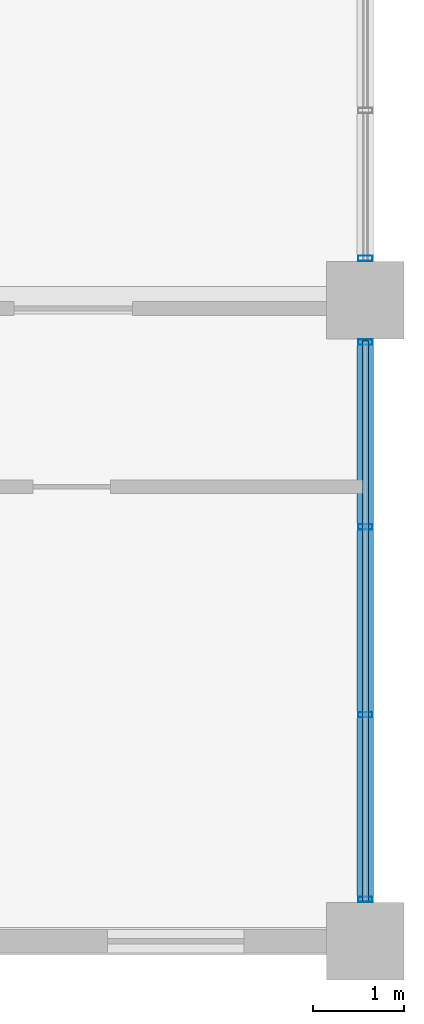
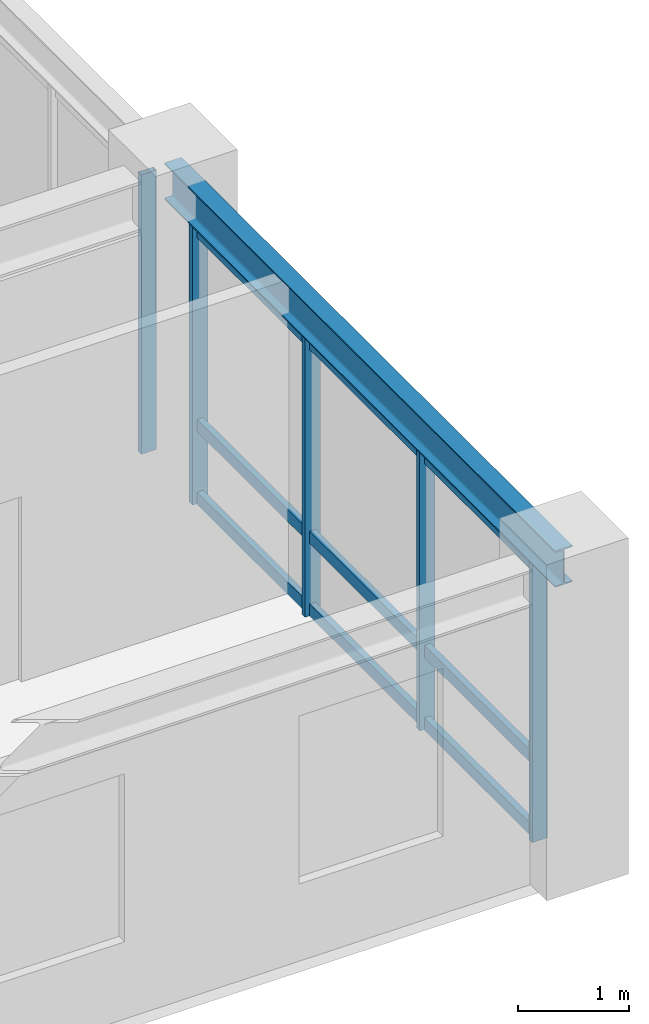
# One storey, part 2 of 10: 8 members, 1 beam, 2 elements without a shape of their own.
"""IFC4 building model written with IfcOpenShell, lengths in metres."""

import ifcopenshell
import ifcopenshell.guid

model = None  # the IFC model being written
_history = None  # IfcOwnerHistory: only IFC2X3 demands one
_inside = {}  # id of a spatial element -> (the spatial element, [elements in it])
_under = {}  # id of a project, library or spatial element -> (it, [spatial elements below it])
_declared = {}  # id of a project -> (the project, [libraries it declares])
_typed = {}  # id of a type object -> (the type object, [elements of that type])
_made_of = {}  # id of a material, layer set ... -> (it, [elements and type objects made of it])


def new_model(schema):
    """Start an empty IFC model of exactly this schema.

    Asked for "IFC4X3", IfcOpenShell would pick the latest addendum, in which some entities
    have other attributes; the version numbers below select the first issue.
    IFC2X3 requires an IfcOwnerHistory on every rooted entity: one is made here for all.
    """
    global model, _history
    if schema == "IFC4X3":
        model = ifcopenshell.file(schema_version=(4, 3, 0, 0))
    else:
        model = ifcopenshell.file(schema=schema)
    _inside.clear()
    _under.clear()
    _declared.clear()
    _typed.clear()
    _made_of.clear()
    _history = None
    if model.schema == "IFC2X3":
        org = make("IfcOrganization", Name="unknown")
        user = make(
            "IfcPersonAndOrganization",
            ThePerson=make("IfcPerson", FamilyName="unknown"),
            TheOrganization=org,
        )
        app = make(
            "IfcApplication",
            ApplicationDeveloper=org,
            Version="unknown",
            ApplicationFullName="unknown",
            ApplicationIdentifier="unknown",
        )
        _history = make(
            "IfcOwnerHistory",
            OwningUser=user,
            OwningApplication=app,
            ChangeAction="ADDED",
            CreationDate=0,
        )
    return model


def make(cls, **values):
    """One entity of the class cls with the attributes given. An attribute that is None is left unset."""
    return model.create_entity(
        cls, **{name: value for name, value in values.items() if value is not None}
    )


def rooted(cls, **values):
    """An entity with a GlobalId (a new one), such as an element, a storey or a relation."""
    return make(cls, GlobalId=ifcopenshell.guid.new(), OwnerHistory=_history, **values)


def si_unit(unit_type, name, prefix=None):
    """IfcSIUnit, for example si_unit("LENGTHUNIT", "METRE", prefix="MILLI")."""
    return make("IfcSIUnit", UnitType=unit_type, Prefix=prefix, Name=name)


def assignment(units):
    """IfcUnitAssignment: the units of a project."""
    return None if units is None else make("IfcUnitAssignment", Units=units)


def point(xyz):
    """IfcCartesianPoint."""
    return None if xyz is None else make("IfcCartesianPoint", Coordinates=xyz)


def direction(xyz):
    """IfcDirection."""
    return None if xyz is None else make("IfcDirection", DirectionRatios=xyz)


def frame(location, z_axis=None, x_axis=None):
    """IfcAxis2Placement3D, a coordinate frame: its origin and axes. An axis left out is left unset."""
    return make(
        "IfcAxis2Placement3D",
        Location=point(location),
        Axis=direction(z_axis),
        RefDirection=direction(x_axis),
    )


def frame_2d(location, x_axis=None):
    """IfcAxis2Placement2D, a coordinate frame in the plane: its origin and x axis."""
    return make(
        "IfcAxis2Placement2D", Location=point(location), RefDirection=direction(x_axis)
    )


def origin():
    """The frame at (0, 0, 0) with its axes left unset."""
    return frame((0.0, 0.0, 0.0))


def origin_2d():
    """The frame at (0, 0) in the plane with its x axis left unset."""
    return frame_2d((0.0, 0.0))


def place(relative_to, where):
    """IfcLocalPlacement: puts the frame where relative to a parent placement (None: the world)."""
    return make(
        "IfcLocalPlacement", PlacementRelTo=relative_to, RelativePlacement=where
    )


def context(
    kind, dimensions, precision=None, world=None, true_north=None, identifier=None
):
    """IfcGeometricRepresentationContext, for example the 3D "Model" context."""
    return make(
        "IfcGeometricRepresentationContext",
        ContextIdentifier=identifier,
        ContextType=kind,
        CoordinateSpaceDimension=dimensions,
        Precision=precision,
        WorldCoordinateSystem=world,
        TrueNorth=true_north,
    )


def subcontext(parent, identifier, kind, view, scale=None):
    """IfcGeometricRepresentationSubContext, for example "Body" below "Model"."""
    return make(
        "IfcGeometricRepresentationSubContext",
        ContextIdentifier=identifier,
        ContextType=kind,
        ParentContext=parent,
        TargetScale=scale,
        TargetView=view,
    )


def project(units=None, contexts=None):
    """IfcProject with its units and contexts."""
    return rooted(
        "IfcProject",
        Name="project",
        RepresentationContexts=contexts,
        UnitsInContext=assignment(units),
    )


def spatial(cls, under=None, at=None, **own):
    """A site, building, storey or space (cls), placed at a placement, below another one or the project."""
    s = rooted(cls, ObjectPlacement=at, **own)
    if under is not None:
        _under.setdefault(under.id(), (under, []))[1].append(s)
    return s


def profile(cls, at=None, kind="AREA", **sizes):
    """A parametric profile (cls). Its sizes go by their IFC names, for example OverallWidth=200.0."""
    return make(cls, ProfileType=kind, Position=at, **sizes)


def hollow_rectangle(**sizes):
    """IfcRectangleHollowProfileDef."""
    return profile("IfcRectangleHollowProfileDef", **sizes)


def i_section(**sizes):
    """IfcIShapeProfileDef."""
    return profile("IfcIShapeProfileDef", **sizes)


def extrude(swept, where, along, depth):
    """IfcExtrudedAreaSolid: the profile swept, set in the frame where, extruded along a direction by depth."""
    return make(
        "IfcExtrudedAreaSolid",
        SweptArea=swept,
        Position=where,
        ExtrudedDirection=direction(along),
        Depth=depth,
    )


def shape(context_of_items, identifier, shape_type, items):
    """IfcShapeRepresentation: the items that make up one representation, for example the "Body"."""
    return make(
        "IfcShapeRepresentation",
        ContextOfItems=context_of_items,
        RepresentationIdentifier=identifier,
        RepresentationType=shape_type,
        Items=items,
    )


def source(mapping_origin, context_of_items, identifier, shape_type, items):
    """IfcRepresentationMap: a shape defined once, which mapped items show again and again."""
    return make(
        "IfcRepresentationMap",
        MappingOrigin=mapping_origin,
        MappedRepresentation=shape(context_of_items, identifier, shape_type, items),
    )


def transform(
    local_origin,
    x_axis=None,
    y_axis=None,
    z_axis=None,
    scale=None,
    scale2=None,
    scale3=None,
    uniform=True,
):
    """IfcCartesianTransformationOperator3D, or its non-uniform kind. x_axis, y_axis, z_axis: its Axis1, 2, 3."""
    if uniform:
        return make(
            "IfcCartesianTransformationOperator3D",
            Axis1=direction(x_axis),
            Axis2=direction(y_axis),
            LocalOrigin=point(local_origin),
            Scale=scale,
            Axis3=direction(z_axis),
        )
    return make(
        "IfcCartesianTransformationOperator3DnonUniform",
        Axis1=direction(x_axis),
        Axis2=direction(y_axis),
        LocalOrigin=point(local_origin),
        Scale=scale,
        Axis3=direction(z_axis),
        Scale2=scale2,
        Scale3=scale3,
    )


def mapped(mapping_source, mapping_target):
    """IfcMappedItem: shows the shape of a source again, moved by a transform."""
    return make(
        "IfcMappedItem", MappingSource=mapping_source, MappingTarget=mapping_target
    )


def material(Name=None, Category=None):
    """IfcMaterial."""
    return make("IfcMaterial", Name=Name, Category=Category)


def layer(
    of_material, thickness, ventilated=None, Name=None, Category=None, Priority=None
):
    """IfcMaterialLayer: one layer of a wall or slab, of a material (None: an air gap)."""
    return make(
        "IfcMaterialLayer",
        Material=of_material,
        LayerThickness=thickness,
        IsVentilated=ventilated,
        Name=Name,
        Category=Category,
        Priority=Priority,
    )


def layer_set(layers, Name=None):
    """IfcMaterialLayerSet."""
    return make("IfcMaterialLayerSet", MaterialLayers=layers, LayerSetName=Name)


def material_profile(
    of_material, cross_section, Name=None, Category=None, Priority=None
):
    """IfcMaterialProfile: a cross section and its material."""
    return make(
        "IfcMaterialProfile",
        Name=Name,
        Material=of_material,
        Profile=cross_section,
        Priority=Priority,
        Category=Category,
    )


def profile_set(profiles, Name=None, composite=None):
    """IfcMaterialProfileSet."""
    return make(
        "IfcMaterialProfileSet",
        Name=Name,
        MaterialProfiles=profiles,
        CompositeProfile=composite,
    )


def made_of(thing, what):
    """Note that an element or type object is made of a material, layer set ...; save() writes the relation."""
    if what is not None:
        _made_of.setdefault(what.id(), (what, []))[1].append(thing)
    return thing


def type_object(cls, material=None, **own):
    """A type object (cls), such as IfcWallType, which elements share."""
    return made_of(rooted(cls, **own), material)


def element(
    cls,
    number,
    at=None,
    inside=None,
    cuts=None,
    type_object=None,
    material=None,
    context=None,
    identifier="Body",
    shape_type=None,
    held_by="IfcProductDefinitionShape",
    body=None,
    shapes=None,
    **own,
):
    """One element of the class cls, such as IfcWall. Its Tag is "e" and its number.

    at: its placement. inside: the storey or other place that contains it. cuts: it is an
    opening in that element (IfcRelVoidsElement). A single representation is given by context,
    identifier, shape_type and body (its items); several are given by shapes. held_by: the class
    of the entity that holds the representations. save() writes the other relations.
    """
    e = rooted(cls, Tag="e%d" % number, ObjectPlacement=at, **own)
    if body is not None:
        shapes = [shape(context, identifier, shape_type, body)]
    if shapes is not None:
        e.Representation = make(held_by, Representations=shapes)
    if inside is not None:
        _inside.setdefault(inside.id(), (inside, []))[1].append(e)
    if cuts is not None:
        rooted(
            "IfcRelVoidsElement", RelatingBuildingElement=cuts, RelatedOpeningElement=e
        )
    if type_object is not None:
        _typed.setdefault(type_object.id(), (type_object, []))[1].append(e)
    return made_of(e, material)


def aggregate(whole, parts):
    """IfcRelAggregates: a whole, such as a stair, and the parts it consists of."""
    return rooted("IfcRelAggregates", RelatingObject=whole, RelatedObjects=parts)


def save(model, path):
    """Write the relations noted so far, then the file.

    IfcRelAggregates (storeys below a building ...), IfcRelContainedInSpatialStructure (elements
    in a storey), IfcRelDefinesByType, IfcRelAssociatesMaterial and IfcRelDeclares: one each for
    every whole, place, type object, material and project.
    """
    for whole, parts in _under.values():
        aggregate(whole, parts)
    for where, things in _inside.values():
        rooted(
            "IfcRelContainedInSpatialStructure",
            RelatedElements=things,
            RelatingStructure=where,
        )
    for kind, things in _typed.values():
        rooted("IfcRelDefinesByType", RelatedObjects=things, RelatingType=kind)
    for what, things in _made_of.values():
        rooted("IfcRelAssociatesMaterial", RelatedObjects=things, RelatingMaterial=what)
    for by, libraries in _declared.values():
        rooted("IfcRelDeclares", RelatingContext=by, RelatedDefinitions=libraries)
    model.write(path)


model = new_model("IFC4")

# Units and contexts
model_context = context("Model", 3, precision=1e-05, world=origin(), true_north=direction((0.0, 1.0)))
body_context = subcontext(model_context, "Body", "Model", "MODEL_VIEW")
ifc_project = project(units=[si_unit("LENGTHUNIT", "METRE"), si_unit("AREAUNIT", "SQUARE_METRE"), si_unit("VOLUMEUNIT", "CUBIC_METRE"), si_unit("PLANEANGLEUNIT", "RADIAN"), si_unit("MASSUNIT", "GRAM", prefix="KILO")], contexts=[model_context])

# Site, building, storey
site_placement = place(None, origin())
site = spatial("IfcSite", under=ifc_project, at=site_placement, CompositionType="ELEMENT")
building_placement = place(site_placement, origin())
building = spatial("IfcBuilding", under=site, at=building_placement, Name="Kaliganga Portal Commons", CompositionType="ELEMENT")
storey_placement = place(building_placement, frame((0.0, 0.0, 286.89990234375)))
storey = spatial("IfcBuildingStorey", under=building, at=storey_placement, Name="L74", CompositionType="ELEMENT", Elevation=286.89990234375)

# Beam
ifc_material_1 = material(Name="Structural steel S355J2", Category="steel")
ifc_material_profile_1 = material_profile(ifc_material_1, i_section(OverallWidth=0.179931640625, OverallDepth=0.39990234375, WebThickness=0.008544921875, FlangeThickness=0.013427734375, FilletRadius=0.02099609375, at=origin_2d()), Name="IPE 400")
ifc_profile_set_1 = profile_set([ifc_material_profile_1], Name="Structural steel S355J2 wide-flange")
beam_type = type_object("IfcBeamType", Name="BM-FLR-400", PredefinedType="BEAM", material=ifc_profile_set_1)
shared_shape_1 = source(origin(), body_context, "Body", "SweptSolid", [
    extrude(i_section(OverallWidth=0.179931640625, OverallDepth=0.39990234375, WebThickness=0.008544921875, FlangeThickness=0.013427734375, FilletRadius=0.02099609375, at=origin_2d()), origin(), (0.0, 0.0, 1.0), 7.0498046875),
])
beam_placement = place(storey_placement, frame((46.800048828125, 21.60009765625, 3.275146484375), z_axis=(0.0, 1.0, 0.0), x_axis=(-1.0, 0.0, 0.0)))
element("IfcBeam", 1, at=beam_placement, inside=storey, type_object=beam_type, Name="BM G L74 AS468", PredefinedType="BEAM", context=body_context, shape_type="MappedRepresentation", body=[
    mapped(shared_shape_1, transform((0.0, 0.0, 0.0), x_axis=(1.0, 0.0, 0.0), y_axis=(0.0, 1.0, 0.0), z_axis=(0.0, 0.0, 1.0), scale=1.0)),
])

# Curtain wall, members
ifc_material_2 = material(Name="Anodized Aluminium and Laminated Low-E Glass", Category="aluminium")
ifc_layer = layer(ifc_material_2, 0.18994140625)
ifc_layer_set = layer_set([ifc_layer], Name="Anodized Aluminium and Laminated Low-E Glass")
curtain_wall_type = type_object("IfcCurtainWallType", Name="CW-SYS-05", PredefinedType="NOTDEFINED", material=ifc_layer_set)
curtain_wall_1_placement = place(storey_placement, origin())
curtain_wall_1 = element("IfcCurtainWall", 2, at=curtain_wall_1_placement, inside=storey, type_object=curtain_wall_type, Name="CW 05 L74 P1E01S1", PredefinedType="NOTDEFINED")
ifc_material_3 = material(Name="Dark Bronze Anodized Aluminium", Category="aluminium")
ifc_material_profile_2 = material_profile(ifc_material_3, hollow_rectangle(XDim=0.06494140625, YDim=0.135009765625, WallThickness=0.00341796875, at=origin_2d()), Name="ALU TRAN 65x135x3.5")
ifc_profile_set_2 = profile_set([ifc_material_profile_2], Name="Dark Bronze Anodized Aluminium")
member_type_1 = type_object("IfcMemberType", Name="CW-TRN-135", PredefinedType="USERDEFINED", material=ifc_profile_set_2)
shared_shape_2 = source(origin(), body_context, "Body", "SweptSolid", [
    extrude(hollow_rectangle(XDim=0.06494140625, YDim=0.135009765625, WallThickness=0.00341796875, at=origin_2d()), origin(), (0.0, 0.0, 1.0), 6.158203125),
])
member_1_placement = place(storey_placement, frame((46.800048828125, 22.0458984375, 0.06005859375), z_axis=(0.0, 1.0, 0.0), x_axis=(-1.0, 0.0, 0.0)))
member_1 = element("IfcMember", 3, at=member_1_placement, type_object=member_type_1, Name="CW:05:L74:P1E01S1 Transom 1", ObjectType="TRANSOM", PredefinedType="USERDEFINED", context=body_context, shape_type="MappedRepresentation", body=[
    mapped(shared_shape_2, transform((0.0, 0.0, 0.0), x_axis=(1.0, 0.0, 0.0), y_axis=(0.0, 1.0, 0.0), z_axis=(0.0, 0.0, 1.0), scale=1.0)),
])
member_2_placement = place(storey_placement, frame((46.800048828125, 22.0458984375, 0.861083984375), z_axis=(0.0, 1.0, 0.0), x_axis=(-1.0, 0.0, 0.0)))
member_2 = element("IfcMember", 4, at=member_2_placement, type_object=member_type_1, Name="CW:05:L74:P1E01S1 Transom 2", ObjectType="TRANSOM", PredefinedType="USERDEFINED", context=body_context, shape_type="MappedRepresentation", body=[
    mapped(shared_shape_2, transform((0.0, 0.0, 0.0), x_axis=(1.0, 0.0, 0.0), y_axis=(0.0, 1.0, 0.0), z_axis=(0.0, 0.0, 1.0), scale=1.0)),
])
member_3_placement = place(storey_placement, frame((46.800048828125, 22.0458984375, 2.9951171875), z_axis=(0.0, 1.0, 0.0), x_axis=(-1.0, 0.0, 0.0)))
member_3 = element("IfcMember", 5, at=member_3_placement, type_object=member_type_1, Name="CW:05:L74:P1E01S1 Transom 3", ObjectType="TRANSOM", PredefinedType="USERDEFINED", context=body_context, shape_type="MappedRepresentation", body=[
    mapped(shared_shape_2, transform((0.0, 0.0, 0.0), x_axis=(1.0, 0.0, 0.0), y_axis=(0.0, 1.0, 0.0), z_axis=(0.0, 0.0, 1.0), scale=1.0)),
])
ifc_material_profile_3 = material_profile(ifc_material_3, hollow_rectangle(XDim=0.06005859375, YDim=0.159912109375, WallThickness=0.00341796875, at=origin_2d()), Name="ALU MULL 60x160x3.5")
ifc_profile_set_3 = profile_set([ifc_material_profile_3], Name="Dark Bronze Anodized Aluminium")
member_type_2 = type_object("IfcMemberType", Name="CW-MUL-160", PredefinedType="MULLION", material=ifc_profile_set_3)
shared_shape_3 = source(origin(), body_context, "Body", "SweptSolid", [
    extrude(hollow_rectangle(XDim=0.06005859375, YDim=0.159912109375, WallThickness=0.00341796875, at=origin_2d()), origin(), (0.0, 0.0, 1.0), 3.0751953125),
])
member_4_placement = place(storey_placement, frame((46.800048828125, 22.06103515625, 0.0), z_axis=(0.0, 0.0, 1.0), x_axis=(0.0, 1.0, 0.0)))
member_4 = element("IfcMember", 6, at=member_4_placement, type_object=member_type_2, Name="CW:05:L74:P1E01S1 Mullion 00", PredefinedType="MULLION", context=body_context, shape_type="MappedRepresentation", body=[
    mapped(shared_shape_3, transform((0.0, 0.0, 0.0), x_axis=(1.0, 0.0, 0.0), y_axis=(0.0, 1.0, 0.0), z_axis=(0.0, 0.0, 1.0), scale=1.0)),
])
member_5_placement = place(storey_placement, frame((46.800048828125, 24.092041015625, 0.0), z_axis=(0.0, 0.0, 1.0), x_axis=(0.0, 1.0, 0.0)))
member_5 = element("IfcMember", 7, at=member_5_placement, type_object=member_type_2, Name="CW:05:L74:P1E01S1 Mullion 01", PredefinedType="MULLION", context=body_context, shape_type="MappedRepresentation", body=[
    mapped(shared_shape_3, transform((0.0, 0.0, 0.0), x_axis=(1.0, 0.0, 0.0), y_axis=(0.0, 1.0, 0.0), z_axis=(0.0, 0.0, 1.0), scale=1.0)),
])
member_6_placement = place(storey_placement, frame((46.800048828125, 26.157958984375, 0.0), z_axis=(0.0, 0.0, 1.0), x_axis=(0.0, 1.0, 0.0)))
member_6 = element("IfcMember", 8, at=member_6_placement, type_object=member_type_2, Name="CW:05:L74:P1E01S1 Mullion 02", PredefinedType="MULLION", context=body_context, shape_type="MappedRepresentation", body=[
    mapped(shared_shape_3, transform((0.0, 0.0, 0.0), x_axis=(1.0, 0.0, 0.0), y_axis=(0.0, 1.0, 0.0), z_axis=(0.0, 0.0, 1.0), scale=1.0)),
])
member_7_placement = place(storey_placement, frame((46.800048828125, 28.18896484375, 0.0), z_axis=(0.0, 0.0, 1.0), x_axis=(0.0, 1.0, 0.0)))
member_7 = element("IfcMember", 9, at=member_7_placement, type_object=member_type_2, Name="CW:05:L74:P1E01S1 Mullion 03", PredefinedType="MULLION", context=body_context, shape_type="MappedRepresentation", body=[
    mapped(shared_shape_3, transform((0.0, 0.0, 0.0), x_axis=(1.0, 0.0, 0.0), y_axis=(0.0, 1.0, 0.0), z_axis=(0.0, 0.0, 1.0), scale=1.0)),
])
aggregate(curtain_wall_1, [member_4, member_5, member_6, member_7, member_1, member_2, member_3])

# Curtain wall, member
curtain_wall_2_placement = place(storey_placement, origin())
curtain_wall_2 = element("IfcCurtainWall", 10, at=curtain_wall_2_placement, inside=storey, type_object=curtain_wall_type, Name="CW 05 L74 P1E01S2", PredefinedType="NOTDEFINED")
member_8_placement = place(storey_placement, frame((46.800048828125, 29.111083984375, 0.0), z_axis=(0.0, 0.0, 1.0), x_axis=(0.0, 1.0, 0.0)))
member_8 = element("IfcMember", 11, at=member_8_placement, type_object=member_type_2, Name="CW:05:L74:P1E01S2 Mullion 00", PredefinedType="MULLION", context=body_context, shape_type="MappedRepresentation", body=[
    mapped(shared_shape_3, transform((0.0, 0.0, 0.0), x_axis=(1.0, 0.0, 0.0), y_axis=(0.0, 1.0, 0.0), z_axis=(0.0, 0.0, 1.0), scale=1.0)),
])
aggregate(curtain_wall_2, [member_8])

save(model, "model.ifc")
